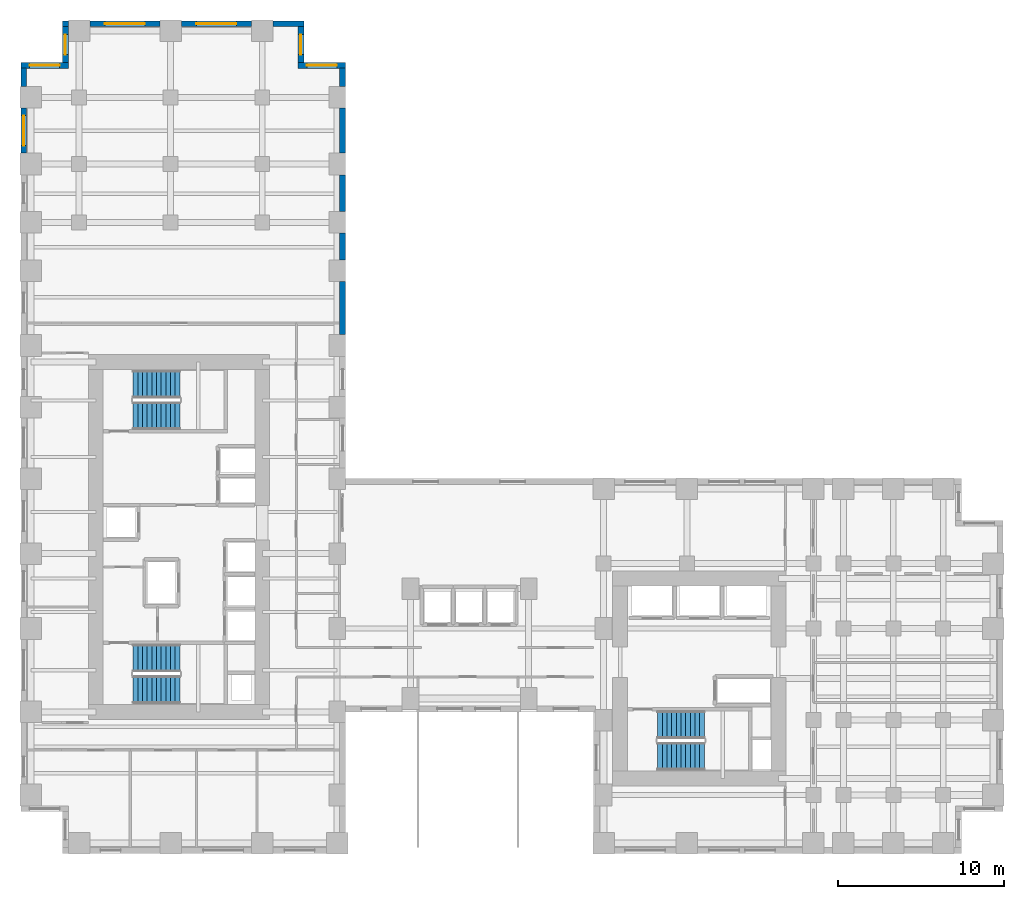
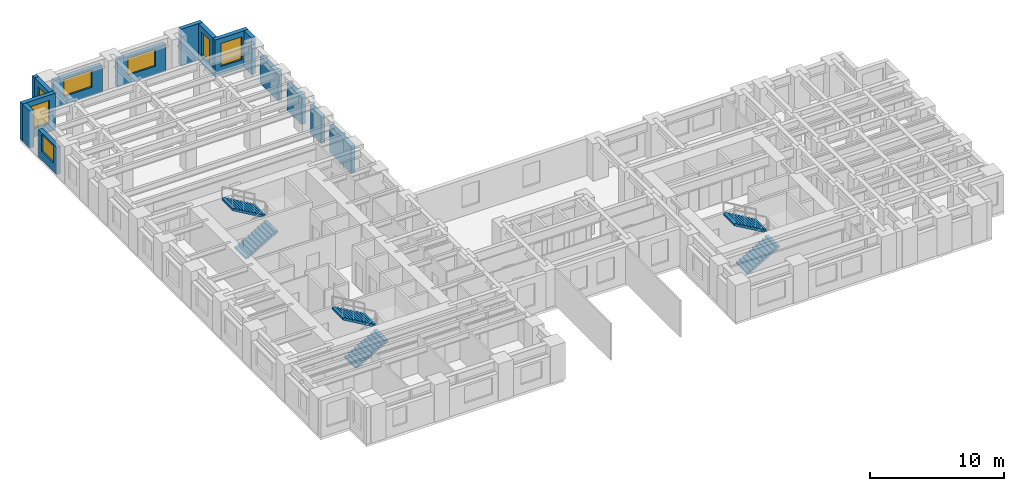
# One storey, part 10 of 12: 15 walls, 7 windows, 6 stair flights, 7 openings, 3 elements without a shape of their own.
"""IFC4 building model written with IfcOpenShell, lengths in metres."""

import ifcopenshell
import ifcopenshell.guid

model = None  # the IFC model being written
_history = None  # IfcOwnerHistory: only IFC2X3 demands one
_inside = {}  # id of a spatial element -> (the spatial element, [elements in it])
_under = {}  # id of a project, library or spatial element -> (it, [spatial elements below it])
_declared = {}  # id of a project -> (the project, [libraries it declares])
_typed = {}  # id of a type object -> (the type object, [elements of that type])
_made_of = {}  # id of a material, layer set ... -> (it, [elements and type objects made of it])


def new_model(schema):
    """Start an empty IFC model of exactly this schema.

    Asked for "IFC4X3", IfcOpenShell would pick the latest addendum, in which some entities
    have other attributes; the version numbers below select the first issue.
    IFC2X3 requires an IfcOwnerHistory on every rooted entity: one is made here for all.
    """
    global model, _history
    if schema == "IFC4X3":
        model = ifcopenshell.file(schema_version=(4, 3, 0, 0))
    else:
        model = ifcopenshell.file(schema=schema)
    _inside.clear()
    _under.clear()
    _declared.clear()
    _typed.clear()
    _made_of.clear()
    _history = None
    if model.schema == "IFC2X3":
        org = make("IfcOrganization", Name="unknown")
        user = make(
            "IfcPersonAndOrganization",
            ThePerson=make("IfcPerson", FamilyName="unknown"),
            TheOrganization=org,
        )
        app = make(
            "IfcApplication",
            ApplicationDeveloper=org,
            Version="unknown",
            ApplicationFullName="unknown",
            ApplicationIdentifier="unknown",
        )
        _history = make(
            "IfcOwnerHistory",
            OwningUser=user,
            OwningApplication=app,
            ChangeAction="ADDED",
            CreationDate=0,
        )
    return model


def make(cls, **values):
    """One entity of the class cls with the attributes given. An attribute that is None is left unset."""
    return model.create_entity(
        cls, **{name: value for name, value in values.items() if value is not None}
    )


def rooted(cls, **values):
    """An entity with a GlobalId (a new one), such as an element, a storey or a relation."""
    return make(cls, GlobalId=ifcopenshell.guid.new(), OwnerHistory=_history, **values)


def si_unit(unit_type, name, prefix=None):
    """IfcSIUnit, for example si_unit("LENGTHUNIT", "METRE", prefix="MILLI")."""
    return make("IfcSIUnit", UnitType=unit_type, Prefix=prefix, Name=name)


def assignment(units):
    """IfcUnitAssignment: the units of a project."""
    return None if units is None else make("IfcUnitAssignment", Units=units)


def point(xyz):
    """IfcCartesianPoint."""
    return None if xyz is None else make("IfcCartesianPoint", Coordinates=xyz)


def direction(xyz):
    """IfcDirection."""
    return None if xyz is None else make("IfcDirection", DirectionRatios=xyz)


def frame(location, z_axis=None, x_axis=None):
    """IfcAxis2Placement3D, a coordinate frame: its origin and axes. An axis left out is left unset."""
    return make(
        "IfcAxis2Placement3D",
        Location=point(location),
        Axis=direction(z_axis),
        RefDirection=direction(x_axis),
    )


def frame_2d(location, x_axis=None):
    """IfcAxis2Placement2D, a coordinate frame in the plane: its origin and x axis."""
    return make(
        "IfcAxis2Placement2D", Location=point(location), RefDirection=direction(x_axis)
    )


def origin():
    """The frame at (0, 0, 0) with its axes left unset."""
    return frame((0.0, 0.0, 0.0))


def place(relative_to, where):
    """IfcLocalPlacement: puts the frame where relative to a parent placement (None: the world)."""
    return make(
        "IfcLocalPlacement", PlacementRelTo=relative_to, RelativePlacement=where
    )


def context(
    kind, dimensions, precision=None, world=None, true_north=None, identifier=None
):
    """IfcGeometricRepresentationContext, for example the 3D "Model" context."""
    return make(
        "IfcGeometricRepresentationContext",
        ContextIdentifier=identifier,
        ContextType=kind,
        CoordinateSpaceDimension=dimensions,
        Precision=precision,
        WorldCoordinateSystem=world,
        TrueNorth=true_north,
    )


def subcontext(parent, identifier, kind, view, scale=None):
    """IfcGeometricRepresentationSubContext, for example "Body" below "Model"."""
    return make(
        "IfcGeometricRepresentationSubContext",
        ContextIdentifier=identifier,
        ContextType=kind,
        ParentContext=parent,
        TargetScale=scale,
        TargetView=view,
    )


def project(units=None, contexts=None):
    """IfcProject with its units and contexts."""
    return rooted(
        "IfcProject",
        Name="project",
        RepresentationContexts=contexts,
        UnitsInContext=assignment(units),
    )


def spatial(cls, under=None, at=None, **own):
    """A site, building, storey or space (cls), placed at a placement, below another one or the project."""
    s = rooted(cls, ObjectPlacement=at, **own)
    if under is not None:
        _under.setdefault(under.id(), (under, []))[1].append(s)
    return s


def polyline(points):
    """IfcPolyline through the points."""
    return make("IfcPolyline", Points=[point(p) for p in points])


def profile(cls, at=None, kind="AREA", **sizes):
    """A parametric profile (cls). Its sizes go by their IFC names, for example OverallWidth=200.0."""
    return make(cls, ProfileType=kind, Position=at, **sizes)


def rectangle(**sizes):
    """IfcRectangleProfileDef."""
    return profile("IfcRectangleProfileDef", **sizes)


def outline(outer, holes=None, kind="AREA"):
    """IfcArbitraryClosedProfileDef: a profile drawn as a closed curve; with holes, ...WithVoids."""
    if holes is None:
        return make("IfcArbitraryClosedProfileDef", ProfileType=kind, OuterCurve=outer)
    return make(
        "IfcArbitraryProfileDefWithVoids",
        ProfileType=kind,
        OuterCurve=outer,
        InnerCurves=holes,
    )


def extrude(swept, where, along, depth):
    """IfcExtrudedAreaSolid: the profile swept, set in the frame where, extruded along a direction by depth."""
    return make(
        "IfcExtrudedAreaSolid",
        SweptArea=swept,
        Position=where,
        ExtrudedDirection=direction(along),
        Depth=depth,
    )


def shape(context_of_items, identifier, shape_type, items):
    """IfcShapeRepresentation: the items that make up one representation, for example the "Body"."""
    return make(
        "IfcShapeRepresentation",
        ContextOfItems=context_of_items,
        RepresentationIdentifier=identifier,
        RepresentationType=shape_type,
        Items=items,
    )


def source(mapping_origin, context_of_items, identifier, shape_type, items):
    """IfcRepresentationMap: a shape defined once, which mapped items show again and again."""
    return make(
        "IfcRepresentationMap",
        MappingOrigin=mapping_origin,
        MappedRepresentation=shape(context_of_items, identifier, shape_type, items),
    )


def transform(
    local_origin,
    x_axis=None,
    y_axis=None,
    z_axis=None,
    scale=None,
    scale2=None,
    scale3=None,
    uniform=True,
):
    """IfcCartesianTransformationOperator3D, or its non-uniform kind. x_axis, y_axis, z_axis: its Axis1, 2, 3."""
    if uniform:
        return make(
            "IfcCartesianTransformationOperator3D",
            Axis1=direction(x_axis),
            Axis2=direction(y_axis),
            LocalOrigin=point(local_origin),
            Scale=scale,
            Axis3=direction(z_axis),
        )
    return make(
        "IfcCartesianTransformationOperator3DnonUniform",
        Axis1=direction(x_axis),
        Axis2=direction(y_axis),
        LocalOrigin=point(local_origin),
        Scale=scale,
        Axis3=direction(z_axis),
        Scale2=scale2,
        Scale3=scale3,
    )


def mapped(mapping_source, mapping_target):
    """IfcMappedItem: shows the shape of a source again, moved by a transform."""
    return make(
        "IfcMappedItem", MappingSource=mapping_source, MappingTarget=mapping_target
    )


def material(Name=None, Category=None):
    """IfcMaterial."""
    return make("IfcMaterial", Name=Name, Category=Category)


def layer(
    of_material, thickness, ventilated=None, Name=None, Category=None, Priority=None
):
    """IfcMaterialLayer: one layer of a wall or slab, of a material (None: an air gap)."""
    return make(
        "IfcMaterialLayer",
        Material=of_material,
        LayerThickness=thickness,
        IsVentilated=ventilated,
        Name=Name,
        Category=Category,
        Priority=Priority,
    )


def layer_set(layers, Name=None):
    """IfcMaterialLayerSet."""
    return make("IfcMaterialLayerSet", MaterialLayers=layers, LayerSetName=Name)


def made_of(thing, what):
    """Note that an element or type object is made of a material, layer set ...; save() writes the relation."""
    if what is not None:
        _made_of.setdefault(what.id(), (what, []))[1].append(thing)
    return thing


def type_object(cls, material=None, **own):
    """A type object (cls), such as IfcWallType, which elements share."""
    return made_of(rooted(cls, **own), material)


def element(
    cls,
    number,
    at=None,
    inside=None,
    cuts=None,
    type_object=None,
    material=None,
    context=None,
    identifier="Body",
    shape_type=None,
    held_by="IfcProductDefinitionShape",
    body=None,
    shapes=None,
    **own,
):
    """One element of the class cls, such as IfcWall. Its Tag is "e" and its number.

    at: its placement. inside: the storey or other place that contains it. cuts: it is an
    opening in that element (IfcRelVoidsElement). A single representation is given by context,
    identifier, shape_type and body (its items); several are given by shapes. held_by: the class
    of the entity that holds the representations. save() writes the other relations.
    """
    e = rooted(cls, Tag="e%d" % number, ObjectPlacement=at, **own)
    if body is not None:
        shapes = [shape(context, identifier, shape_type, body)]
    if shapes is not None:
        e.Representation = make(held_by, Representations=shapes)
    if inside is not None:
        _inside.setdefault(inside.id(), (inside, []))[1].append(e)
    if cuts is not None:
        rooted(
            "IfcRelVoidsElement", RelatingBuildingElement=cuts, RelatedOpeningElement=e
        )
    if type_object is not None:
        _typed.setdefault(type_object.id(), (type_object, []))[1].append(e)
    return made_of(e, material)


def fill(opening, filler):
    """IfcRelFillsElement: the door or window that sits in an opening."""
    return rooted(
        "IfcRelFillsElement",
        RelatingOpeningElement=opening,
        RelatedBuildingElement=filler,
    )


def aggregate(whole, parts):
    """IfcRelAggregates: a whole, such as a stair, and the parts it consists of."""
    return rooted("IfcRelAggregates", RelatingObject=whole, RelatedObjects=parts)


def save(model, path):
    """Write the relations noted so far, then the file.

    IfcRelAggregates (storeys below a building ...), IfcRelContainedInSpatialStructure (elements
    in a storey), IfcRelDefinesByType, IfcRelAssociatesMaterial and IfcRelDeclares: one each for
    every whole, place, type object, material and project.
    """
    for whole, parts in _under.values():
        aggregate(whole, parts)
    for where, things in _inside.values():
        rooted(
            "IfcRelContainedInSpatialStructure",
            RelatedElements=things,
            RelatingStructure=where,
        )
    for kind, things in _typed.values():
        rooted("IfcRelDefinesByType", RelatedObjects=things, RelatingType=kind)
    for what, things in _made_of.values():
        rooted("IfcRelAssociatesMaterial", RelatedObjects=things, RelatingMaterial=what)
    for by, libraries in _declared.values():
        rooted("IfcRelDeclares", RelatingContext=by, RelatedDefinitions=libraries)
    model.write(path)


model = new_model("IFC4")

# Units and contexts
model_context = context("Model", 3, precision=1e-05, world=origin(), true_north=direction((0.0, 1.0)))
body_context = subcontext(model_context, "Body", "Model", "MODEL_VIEW")
ifc_project = project(units=[si_unit("LENGTHUNIT", "METRE"), si_unit("AREAUNIT", "SQUARE_METRE"), si_unit("VOLUMEUNIT", "CUBIC_METRE"), si_unit("PLANEANGLEUNIT", "RADIAN"), si_unit("MASSUNIT", "GRAM", prefix="KILO")], contexts=[model_context])

# Site, building, storey
site_placement = place(None, origin())
site = spatial("IfcSite", under=ifc_project, at=site_placement, CompositionType="ELEMENT")
building_placement = place(site_placement, origin())
building = spatial("IfcBuilding", under=site, at=building_placement, Name="Kharzan Plaza Tower", CompositionType="ELEMENT")
storey_placement = place(building_placement, frame((0.0, 0.0, 51.300048828125)))
storey = spatial("IfcBuildingStorey", under=building, at=storey_placement, Name="L13", CompositionType="ELEMENT", Elevation=51.300048828125)

# Wall, opening, window
ifc_material_1 = material(Name="Concrete C40/50", Category="concrete")
ifc_layer = layer(ifc_material_1, 0.35009765625)
ifc_layer_set = layer_set([ifc_layer], Name="Concrete C40/50")
wall_type = type_object("IfcWallType", Name="WL-EXT-MAS-Z1", PredefinedType="SOLIDWALL", material=ifc_layer_set)
wall_1_placement = place(storey_placement, frame((19.5, 47.324951171875, 0.0), z_axis=(0.0, 0.0, 1.0), x_axis=(-1.0, 0.0, 0.0)))
wall_1 = element("IfcWall", 1, at=wall_1_placement, inside=storey, type_object=wall_type, Name="L13 Masonry-Frame Exterior Wall 01", PredefinedType="SOLIDWALL", context=body_context, shape_type="SweptSolid", body=[
    extrude(rectangle(XDim=2.85009765625, YDim=0.35009765625, at=frame_2d((1.425048828125, 0.0))), origin(), (0.0, 0.0, 1.0), 3.364990234375),
])
opening_1_placement = place(wall_1_placement, frame((0.52490234375, 0.0, 0.780029296875)))
opening_1 = element("IfcOpeningElement", 2, at=opening_1_placement, cuts=wall_1, Name="Opening W1", PredefinedType="OPENING", context=body_context, shape_type="SweptSolid", body=[
    extrude(rectangle(XDim=1.800048828125, YDim=2.10009765625, at=frame_2d((0.89990234375, 1.050048828125))), frame((0.0, 0.18505859375, 0.0), z_axis=(0.0, -1.0, 0.0), x_axis=(1.0, 0.0, 0.0)), (0.0, 0.0, 1.0), 0.3701171875),
])
ifc_material_2 = material(Name="Low-E Double Glazing", Category="glass")
window_type_1 = type_object("IfcWindowType", Name="WN-REC-1800x2100", PartitioningType="SINGLE_PANEL", PredefinedType="WINDOW", material=ifc_material_2)
shared_shape_1 = source(origin(), body_context, "Body", "SweptSolid", [
    extrude(rectangle(XDim=1.800048828125, YDim=2.10009765625, at=frame_2d((0.89990234375, 1.050048828125))), frame((0.0, 0.030029296875, 0.0), z_axis=(0.0, -1.0, 0.0), x_axis=(1.0, 0.0, 0.0)), (0.0, 0.0, 1.0), 0.06005859375),
])
window_1_placement = place(opening_1_placement, origin())
window_1 = element("IfcWindow", 3, at=window_1_placement, inside=storey, type_object=window_type_1, Name="L13 Recessed Solar-Control Window 01-1", OverallHeight=2.10009765625, OverallWidth=1.800048828125, PartitioningType="SINGLE_PANEL", PredefinedType="WINDOW", context=body_context, shape_type="MappedRepresentation", body=[
    mapped(shared_shape_1, transform((0.0, 0.0, 0.0), x_axis=(1.0, 0.0, 0.0), y_axis=(0.0, 1.0, 0.0), z_axis=(0.0, 0.0, 1.0))),
])
fill(opening_1, window_1)

wall_2_placement = place(storey_placement, frame((16.824951171875, 47.498046875, 0.0), z_axis=(0.0, 0.0, 1.0), x_axis=(0.0, 1.0, 0.0)))
wall_2 = element("IfcWall", 4, at=wall_2_placement, inside=storey, type_object=wall_type, Name="L13 Masonry-Frame Exterior Wall 02", PredefinedType="SOLIDWALL", context=body_context, shape_type="SweptSolid", body=[
    extrude(rectangle(XDim=2.154052734375, YDim=0.35009765625, at=frame_2d((1.0771484375, 0.0))), origin(), (0.0, 0.0, 1.0), 3.364990234375),
])
opening_2_placement = place(wall_2_placement, frame((0.47705078125, 0.0, 0.780029296875)))
opening_2 = element("IfcOpeningElement", 5, at=opening_2_placement, cuts=wall_2, Name="Opening W3", PredefinedType="OPENING", context=body_context, shape_type="SweptSolid", body=[
    extrude(rectangle(XDim=1.199951171875, YDim=2.10009765625, at=frame_2d((0.60009765625, 1.050048828125))), frame((0.0, 0.18505859375, 0.0), z_axis=(0.0, -1.0, 0.0), x_axis=(1.0, 0.0, 0.0)), (0.0, 0.0, 1.0), 0.3701171875),
])
window_type_2 = type_object("IfcWindowType", Name="WN-REC-1200x2100", PartitioningType="SINGLE_PANEL", PredefinedType="WINDOW", material=ifc_material_2)
shared_shape_2 = source(origin(), body_context, "Body", "SweptSolid", [
    extrude(rectangle(XDim=1.199951171875, YDim=2.10009765625, at=frame_2d((0.60009765625, 1.050048828125))), frame((0.0, 0.030029296875, 0.0), z_axis=(0.0, -1.0, 0.0), x_axis=(1.0, 0.0, 0.0)), (0.0, 0.0, 1.0), 0.06005859375),
])
window_2_placement = place(opening_2_placement, origin())
window_2 = element("IfcWindow", 6, at=window_2_placement, inside=storey, type_object=window_type_2, Name="L13 Recessed Solar-Control Window 02-1", OverallHeight=2.10009765625, OverallWidth=1.199951171875, PartitioningType="SINGLE_PANEL", PredefinedType="WINDOW", context=body_context, shape_type="MappedRepresentation", body=[
    mapped(shared_shape_2, transform((0.0, 0.0, 0.0), x_axis=(1.0, 0.0, 0.0), y_axis=(0.0, 1.0, 0.0), z_axis=(0.0, 0.0, 1.0))),
])
fill(opening_2, window_2)

wall_3_placement = place(storey_placement, frame((13.85205078125, 49.824951171875, 0.0), z_axis=(0.0, 0.0, 1.0), x_axis=(-1.0, 0.0, 0.0)))
wall_3 = element("IfcWall", 7, at=wall_3_placement, inside=storey, type_object=wall_type, Name="L13 Masonry-Frame Exterior Wall 04", PredefinedType="SOLIDWALL", context=body_context, shape_type="SweptSolid", body=[
    extrude(rectangle(XDim=4.2041015625, YDim=0.35009765625, at=frame_2d((2.10205078125, 0.0))), origin(), (0.0, 0.0, 1.0), 2.510009765625),
])
opening_3_placement = place(wall_3_placement, frame((0.902099609375, 0.0, 0.780029296875)))
opening_3 = element("IfcOpeningElement", 8, at=opening_3_placement, cuts=wall_3, Name="Opening W2", PredefinedType="OPENING", context=body_context, shape_type="SweptSolid", body=[
    extrude(rectangle(XDim=2.39990234375, YDim=1.550048828125, at=frame_2d((1.199951171875, 0.77490234375))), frame((0.0, 0.18505859375, 0.0), z_axis=(0.0, -1.0, 0.0), x_axis=(1.0, 0.0, 0.0)), (0.0, 0.0, 1.0), 0.3701171875),
])
window_type_3 = type_object("IfcWindowType", Name="WN-REC-2400x2100", PartitioningType="SINGLE_PANEL", PredefinedType="WINDOW", material=ifc_material_2)
shared_shape_3 = source(origin(), body_context, "Body", "SweptSolid", [
    extrude(rectangle(XDim=2.39990234375, YDim=1.550048828125, at=frame_2d((1.199951171875, 0.77490234375))), frame((0.0, 0.030029296875, 0.0), z_axis=(0.0, -1.0, 0.0), x_axis=(1.0, 0.0, 0.0)), (0.0, 0.0, 1.0), 0.06005859375),
])
window_3_placement = place(opening_3_placement, origin())
window_3 = element("IfcWindow", 9, at=window_3_placement, inside=storey, type_object=window_type_3, Name="L13 Wide Recessed Solar-Control Window 04-1", OverallHeight=1.550048828125, OverallWidth=2.39990234375, PartitioningType="SINGLE_PANEL", PredefinedType="WINDOW", context=body_context, shape_type="MappedRepresentation", body=[
    mapped(shared_shape_3, transform((0.0, 0.0, 0.0), x_axis=(1.0, 0.0, 0.0), y_axis=(0.0, 1.0, 0.0), z_axis=(0.0, 0.0, 1.0))),
])
fill(opening_3, window_3)

wall_4_placement = place(storey_placement, frame((8.35205078125, 49.824951171875, 0.0), z_axis=(0.0, 0.0, 1.0), x_axis=(-1.0, 0.0, 0.0)))
wall_4 = element("IfcWall", 10, at=wall_4_placement, inside=storey, type_object=wall_type, Name="L13 Masonry-Frame Exterior Wall 05", PredefinedType="SOLIDWALL", context=body_context, shape_type="SweptSolid", body=[
    extrude(rectangle(XDim=4.2041015625, YDim=0.35009765625, at=frame_2d((2.10205078125, 0.0))), origin(), (0.0, 0.0, 1.0), 2.510009765625),
])
opening_4_placement = place(wall_4_placement, frame((0.902099609375, 0.0, 0.780029296875)))
opening_4 = element("IfcOpeningElement", 11, at=opening_4_placement, cuts=wall_4, Name="Opening W2", PredefinedType="OPENING", context=body_context, shape_type="SweptSolid", body=[
    extrude(rectangle(XDim=2.39990234375, YDim=1.550048828125, at=frame_2d((1.199951171875, 0.77490234375))), frame((0.0, 0.18505859375, 0.0), z_axis=(0.0, -1.0, 0.0), x_axis=(1.0, 0.0, 0.0)), (0.0, 0.0, 1.0), 0.3701171875),
])
window_4_placement = place(opening_4_placement, origin())
window_4 = element("IfcWindow", 12, at=window_4_placement, inside=storey, type_object=window_type_3, Name="L13 Wide Recessed Solar-Control Window 05-1", OverallHeight=1.550048828125, OverallWidth=2.39990234375, PartitioningType="SINGLE_PANEL", PredefinedType="WINDOW", context=body_context, shape_type="MappedRepresentation", body=[
    mapped(shared_shape_3, transform((0.0, 0.0, 0.0), x_axis=(1.0, 0.0, 0.0), y_axis=(0.0, 1.0, 0.0), z_axis=(0.0, 0.0, 1.0))),
])
fill(opening_4, window_4)

wall_5_placement = place(storey_placement, frame((2.675048828125, 49.652099609375, 0.0), z_axis=(0.0, 0.0, 1.0), x_axis=(0.0, -1.0, 0.0)))
wall_5 = element("IfcWall", 13, at=wall_5_placement, inside=storey, type_object=wall_type, Name="L13 Masonry-Frame Exterior Wall 07", PredefinedType="SOLIDWALL", context=body_context, shape_type="SweptSolid", body=[
    extrude(rectangle(XDim=2.154052734375, YDim=0.35009765625, at=frame_2d((1.0771484375, 0.0))), origin(), (0.0, 0.0, 1.0), 3.364990234375),
])
opening_5_placement = place(wall_5_placement, frame((0.47705078125, 0.0, 0.780029296875)))
opening_5 = element("IfcOpeningElement", 14, at=opening_5_placement, cuts=wall_5, Name="Opening W3", PredefinedType="OPENING", context=body_context, shape_type="SweptSolid", body=[
    extrude(rectangle(XDim=1.199951171875, YDim=2.10009765625, at=frame_2d((0.60009765625, 1.050048828125))), frame((0.0, 0.18505859375, 0.0), z_axis=(0.0, -1.0, 0.0), x_axis=(1.0, 0.0, 0.0)), (0.0, 0.0, 1.0), 0.3701171875),
])
window_5_placement = place(opening_5_placement, origin())
window_5 = element("IfcWindow", 15, at=window_5_placement, inside=storey, type_object=window_type_2, Name="L13 Recessed Solar-Control Window 07-1", OverallHeight=2.10009765625, OverallWidth=1.199951171875, PartitioningType="SINGLE_PANEL", PredefinedType="WINDOW", context=body_context, shape_type="MappedRepresentation", body=[
    mapped(shared_shape_2, transform((0.0, 0.0, 0.0), x_axis=(1.0, 0.0, 0.0), y_axis=(0.0, 1.0, 0.0), z_axis=(0.0, 0.0, 1.0))),
])
fill(opening_5, window_5)

wall_6_placement = place(storey_placement, frame((2.85009765625, 47.324951171875, 0.0), z_axis=(0.0, 0.0, 1.0), x_axis=(-1.0, 0.0, 0.0)))
wall_6 = element("IfcWall", 16, at=wall_6_placement, inside=storey, type_object=wall_type, Name="L13 Masonry-Frame Exterior Wall 08", PredefinedType="SOLIDWALL", context=body_context, shape_type="SweptSolid", body=[
    extrude(rectangle(XDim=2.85009765625, YDim=0.35009765625, at=frame_2d((1.425048828125, 0.0))), origin(), (0.0, 0.0, 1.0), 3.364990234375),
])
opening_6_placement = place(wall_6_placement, frame((0.52490234375, 0.0, 0.780029296875)))
opening_6 = element("IfcOpeningElement", 17, at=opening_6_placement, cuts=wall_6, Name="Opening W1", PredefinedType="OPENING", context=body_context, shape_type="SweptSolid", body=[
    extrude(rectangle(XDim=1.800048828125, YDim=2.10009765625, at=frame_2d((0.89990234375, 1.050048828125))), frame((0.0, 0.18505859375, 0.0), z_axis=(0.0, -1.0, 0.0), x_axis=(1.0, 0.0, 0.0)), (0.0, 0.0, 1.0), 0.3701171875),
])
window_6_placement = place(opening_6_placement, origin())
window_6 = element("IfcWindow", 18, at=window_6_placement, inside=storey, type_object=window_type_1, Name="L13 Recessed Solar-Control Window 08-1", OverallHeight=2.10009765625, OverallWidth=1.800048828125, PartitioningType="SINGLE_PANEL", PredefinedType="WINDOW", context=body_context, shape_type="MappedRepresentation", body=[
    mapped(shared_shape_1, transform((0.0, 0.0, 0.0), x_axis=(1.0, 0.0, 0.0), y_axis=(0.0, 1.0, 0.0), z_axis=(0.0, 0.0, 1.0))),
])
fill(opening_6, window_6)

wall_7_placement = place(storey_placement, frame((0.175048828125, 44.751953125, 0.0), z_axis=(0.0, 0.0, 1.0), x_axis=(0.0, -1.0, 0.0)))
wall_7 = element("IfcWall", 19, at=wall_7_placement, inside=storey, type_object=wall_type, Name="L13 Masonry-Frame Exterior Wall 10", PredefinedType="SOLIDWALL", context=body_context, shape_type="SweptSolid", body=[
    extrude(rectangle(XDim=2.703857421875, YDim=0.35009765625, at=frame_2d((1.35205078125, 0.0))), origin(), (0.0, 0.0, 1.0), 2.510009765625),
])
opening_7_placement = place(wall_7_placement, frame((0.451904296875, 0.0, 0.780029296875)))
opening_7 = element("IfcOpeningElement", 20, at=opening_7_placement, cuts=wall_7, Name="Opening W1", PredefinedType="OPENING", context=body_context, shape_type="SweptSolid", body=[
    extrude(rectangle(XDim=1.800048828125, YDim=1.550048828125, at=frame_2d((0.89990234375, 0.77490234375))), frame((0.0, 0.18505859375, 0.0), z_axis=(0.0, -1.0, 0.0), x_axis=(1.0, 0.0, 0.0)), (0.0, 0.0, 1.0), 0.3701171875),
])
shared_shape_4 = source(origin(), body_context, "Body", "SweptSolid", [
    extrude(rectangle(XDim=1.800048828125, YDim=1.550048828125, at=frame_2d((0.89990234375, 0.77490234375))), frame((0.0, 0.030029296875, 0.0), z_axis=(0.0, -1.0, 0.0), x_axis=(1.0, 0.0, 0.0)), (0.0, 0.0, 1.0), 0.06005859375),
])
window_7_placement = place(opening_7_placement, origin())
window_7 = element("IfcWindow", 21, at=window_7_placement, inside=storey, type_object=window_type_1, Name="L13 Recessed Solar-Control Window 10-1", OverallHeight=1.550048828125, OverallWidth=1.800048828125, PartitioningType="SINGLE_PANEL", PredefinedType="WINDOW", context=body_context, shape_type="MappedRepresentation", body=[
    mapped(shared_shape_4, transform((0.0, 0.0, 0.0), x_axis=(1.0, 0.0, 0.0), y_axis=(0.0, 1.0, 0.0), z_axis=(0.0, 0.0, 1.0))),
])
fill(opening_7, window_7)

# Walls
shared_shape_5 = source(origin(), body_context, "Body", "SweptSolid", [
    extrude(rectangle(XDim=1.85205078125, YDim=0.35009765625, at=frame_2d((0.926025390625, 0.0))), origin(), (0.0, 0.0, 1.0), 3.364990234375),
])
wall_8_placement = place(storey_placement, frame((17.0, 49.824951171875, 0.0), z_axis=(0.0, 0.0, 1.0), x_axis=(-1.0, 0.0, 0.0)))
element("IfcWall", 22, at=wall_8_placement, inside=storey, type_object=wall_type, Name="L13 Masonry-Frame Exterior Wall 03", PredefinedType="SOLIDWALL", context=body_context, shape_type="MappedRepresentation", body=[
    mapped(shared_shape_5, transform((0.0, 0.0, 0.0), x_axis=(1.0, 0.0, 0.0), y_axis=(0.0, 1.0, 0.0), z_axis=(0.0, 0.0, 1.0))),
])
shared_shape_6 = source(origin(), body_context, "Body", "SweptSolid", [
    extrude(rectangle(XDim=0.35205078125, YDim=0.35009765625, at=frame_2d((0.176025390625, 0.0))), origin(), (0.0, 0.0, 1.0), 3.364990234375),
])
wall_9_placement = place(storey_placement, frame((2.85205078125, 49.824951171875, 0.0), z_axis=(0.0, 0.0, 1.0), x_axis=(-1.0, 0.0, 0.0)))
element("IfcWall", 23, at=wall_9_placement, inside=storey, type_object=wall_type, Name="L13 Masonry-Frame Exterior Wall 06", PredefinedType="SOLIDWALL", context=body_context, shape_type="MappedRepresentation", body=[
    mapped(shared_shape_6, transform((0.0, 0.0, 0.0), x_axis=(1.0, 0.0, 0.0), y_axis=(0.0, 1.0, 0.0), z_axis=(0.0, 0.0, 1.0))),
])
shared_shape_7 = source(origin(), body_context, "Body", "SweptSolid", [
    extrude(rectangle(XDim=1.10400390625, YDim=0.35009765625, at=frame_2d((0.552001953125, 0.0))), origin(), (0.0, 0.0, 1.0), 3.364990234375),
])
for number, where, z_axis, x_axis, name in (
    (24, (0.175048828125, 47.152099609375, 0.0), (0.0, 0.0, 1.0), (0.0, -1.0, 0.0), "L13 Masonry-Frame Exterior Wall 09"),
    (25, (19.324951171875, 46.048095703125, 0.0), (0.0, 0.0, 1.0), (0.0, 1.0, 0.0), "L13 Masonry-Frame Exterior Wall 60"),
):
    element("IfcWall", number, at=place(storey_placement, frame(where, z_axis=z_axis, x_axis=x_axis)), inside=storey, type_object=wall_type, Name=name, PredefinedType="SOLIDWALL", context=body_context, shape_type="MappedRepresentation", body=[
        mapped(shared_shape_7, transform((0.0, 0.0, 0.0), x_axis=(1.0, 0.0, 0.0), y_axis=(0.0, 1.0, 0.0), z_axis=(0.0, 0.0, 1.0))),
    ])
shared_shape_8 = source(origin(), body_context, "Body", "SweptSolid", [
    extrude(rectangle(XDim=1.60400390625, YDim=0.35009765625, at=frame_2d((0.802001953125, 0.0))), origin(), (0.0, 0.0, 1.0), 2.510009765625),
])
wall_10_placement = place(storey_placement, frame((19.324951171875, 35.64794921875, 0.0), z_axis=(0.0, 0.0, 1.0), x_axis=(0.0, 1.0, 0.0)))
element("IfcWall", 26, at=wall_10_placement, inside=storey, type_object=wall_type, Name="L13 Masonry-Frame Exterior Wall 57", PredefinedType="SOLIDWALL", context=body_context, shape_type="MappedRepresentation", body=[
    mapped(shared_shape_8, transform((0.0, 0.0, 0.0), x_axis=(1.0, 0.0, 0.0), y_axis=(0.0, 1.0, 0.0), z_axis=(0.0, 0.0, 1.0))),
])
shared_shape_9 = source(origin(), body_context, "Body", "SweptSolid", [
    extrude(rectangle(XDim=3.2041015625, YDim=0.35009765625, at=frame_2d((1.60205078125, 0.0))), origin(), (0.0, 0.0, 1.0), 2.510009765625),
])
wall_11_placement = place(storey_placement, frame((19.324951171875, 31.14794921875, 0.0), z_axis=(0.0, 0.0, 1.0), x_axis=(0.0, 1.0, 0.0)))
element("IfcWall", 27, at=wall_11_placement, inside=storey, type_object=wall_type, Name="L13 Masonry-Frame Exterior Wall 56", PredefinedType="SOLIDWALL", context=body_context, shape_type="MappedRepresentation", body=[
    mapped(shared_shape_9, transform((0.0, 0.0, 0.0), x_axis=(1.0, 0.0, 0.0), y_axis=(0.0, 1.0, 0.0), z_axis=(0.0, 0.0, 1.0))),
])
shared_shape_10 = source(origin(), body_context, "Body", "SweptSolid", [
    extrude(rectangle(XDim=2.203857421875, YDim=0.35009765625, at=frame_2d((1.10205078125, 0.0))), origin(), (0.0, 0.0, 1.0), 2.510009765625),
])
wall_12_placement = place(storey_placement, frame((19.324951171875, 38.548095703125, 0.0), z_axis=(0.0, 0.0, 1.0), x_axis=(0.0, 1.0, 0.0)))
element("IfcWall", 28, at=wall_12_placement, inside=storey, type_object=wall_type, Name="L13 Masonry-Frame Exterior Wall 58", PredefinedType="SOLIDWALL", context=body_context, shape_type="MappedRepresentation", body=[
    mapped(shared_shape_10, transform((0.0, 0.0, 0.0), x_axis=(1.0, 0.0, 0.0), y_axis=(0.0, 1.0, 0.0), z_axis=(0.0, 0.0, 1.0))),
])
shared_shape_11 = source(origin(), body_context, "Body", "SweptSolid", [
    extrude(rectangle(XDim=2.703857421875, YDim=0.35009765625, at=frame_2d((1.35205078125, 0.0))), origin(), (0.0, 0.0, 1.0), 2.510009765625),
])
wall_13_placement = place(storey_placement, frame((19.324951171875, 42.048095703125, 0.0), z_axis=(0.0, 0.0, 1.0), x_axis=(0.0, 1.0, 0.0)))
element("IfcWall", 29, at=wall_13_placement, inside=storey, type_object=wall_type, Name="L13 Masonry-Frame Exterior Wall 59", PredefinedType="SOLIDWALL", context=body_context, shape_type="MappedRepresentation", body=[
    mapped(shared_shape_11, transform((0.0, 0.0, 0.0), x_axis=(1.0, 0.0, 0.0), y_axis=(0.0, 1.0, 0.0), z_axis=(0.0, 0.0, 1.0))),
])

# Stair, stair flights
stair_type_1 = type_object("IfcStairType", Name="STR-ST-1", PredefinedType="HALF_TURN_STAIR", material=ifc_material_1)
stair_1_placement = place(storey_placement, origin())
stair_1 = element("IfcStair", 30, at=stair_1_placement, inside=storey, type_object=stair_type_1, Name="L13 Protected Exit Stair ST-1", PredefinedType="HALF_TURN_STAIR")
stair_flight_type = type_object("IfcStairFlightType", Name="SFL-1650-R173", PredefinedType="STRAIGHT", material=ifc_material_1)
shared_shape_12 = source(origin(), body_context, "Body", "SweptSolid", [
    extrude(outline(polyline([(-0.0029296875, -0.011962890625), (-0.0029296875, 0.0), (0.0, 0.0), (0.0, 0.16357421875), (0.280029296875, 0.16357421875), (0.280029296875, 0.3271484375), (0.56005859375, 0.3271484375), (0.56005859375, 0.49072265625), (0.840087890625, 0.49072265625), (0.840087890625, 0.654296875), (1.1201171875, 0.654296875), (1.1201171875, 0.81787109375), (1.400146484375, 0.81787109375), (1.400146484375, 0.9814453125), (1.68017578125, 0.9814453125), (1.68017578125, 1.14501953125), (1.960205078125, 1.14501953125), (1.960205078125, 1.30859375), (2.240234375, 1.30859375), (2.240234375, 1.47216796875), (2.520263671875, 1.47216796875), (2.520263671875, 1.6357421875), (2.80029296875, 1.6357421875), (2.80029296875, 1.79931640625), (2.80029296875, 1.462158203125), (0.297119140625, 0.0), (0.297119140625, -0.011962890625), (-0.0029296875, -0.011962890625)])), frame((0.0, 0.824951171875, 0.0), z_axis=(0.0, -1.0, 0.0), x_axis=(1.0, 0.0, 0.0)), (0.0, 0.0, 1.0), 1.64990234375),
])
stair_flight_1_placement = place(storey_placement, frame((6.75, 9.824951171875, 0.0), z_axis=(0.0, 0.0, 1.0), x_axis=(1.0, 0.0, 0.0)))
stair_flight_1 = element("IfcStairFlight", 31, at=stair_flight_1_placement, type_object=stair_flight_type, Name="ST-1 flight 1", NumberOfRisers=11, NumberOfTreads=10, PredefinedType="STRAIGHT", RiserHeight=0.163636364, TreadLength=0.28, context=body_context, shape_type="MappedRepresentation", body=[
    mapped(shared_shape_12, transform((0.0, 0.0, 0.0), x_axis=(1.0, 0.0, 0.0), y_axis=(0.0, 1.0, 0.0), z_axis=(0.0, 0.0, 1.0))),
])
stair_flight_2_placement = place(storey_placement, frame((9.550048828125, 11.72509765625, 1.800048828125), z_axis=(0.0, 0.0, 1.0), x_axis=(-1.0, 0.0, 0.0)))
stair_flight_2 = element("IfcStairFlight", 32, at=stair_flight_2_placement, type_object=stair_flight_type, Name="ST-1 flight 2", NumberOfRisers=11, NumberOfTreads=10, PredefinedType="STRAIGHT", RiserHeight=0.163636364, TreadLength=0.28, context=body_context, shape_type="MappedRepresentation", body=[
    mapped(shared_shape_12, transform((0.0, 0.0, 0.0), x_axis=(1.0, 0.0, 0.0), y_axis=(0.0, 1.0, 0.0), z_axis=(0.0, 0.0, 1.0))),
])
aggregate(stair_1, [stair_flight_1, stair_flight_2])

stair_type_2 = type_object("IfcStairType", Name="STR-ST-2", PredefinedType="HALF_TURN_STAIR", material=ifc_material_1)
stair_2_placement = place(storey_placement, origin())
stair_2 = element("IfcStair", 33, at=stair_2_placement, inside=storey, type_object=stair_type_2, Name="L13 Protected Exit Stair ST-2", PredefinedType="HALF_TURN_STAIR")
stair_flight_3_placement = place(storey_placement, frame((6.75, 26.27490234375, 0.0), z_axis=(0.0, 0.0, 1.0), x_axis=(1.0, 0.0, 0.0)))
stair_flight_3 = element("IfcStairFlight", 34, at=stair_flight_3_placement, type_object=stair_flight_type, Name="ST-2 flight 1", NumberOfRisers=11, NumberOfTreads=10, PredefinedType="STRAIGHT", RiserHeight=0.163636364, TreadLength=0.28, context=body_context, shape_type="MappedRepresentation", body=[
    mapped(shared_shape_12, transform((0.0, 0.0, 0.0), x_axis=(1.0, 0.0, 0.0), y_axis=(0.0, 1.0, 0.0), z_axis=(0.0, 0.0, 1.0))),
])
stair_flight_4_placement = place(storey_placement, frame((9.550048828125, 28.175048828125, 1.800048828125), z_axis=(0.0, 0.0, 1.0), x_axis=(-1.0, 0.0, 0.0)))
stair_flight_4 = element("IfcStairFlight", 35, at=stair_flight_4_placement, type_object=stair_flight_type, Name="ST-2 flight 2", NumberOfRisers=11, NumberOfTreads=10, PredefinedType="STRAIGHT", RiserHeight=0.163636364, TreadLength=0.28, context=body_context, shape_type="MappedRepresentation", body=[
    mapped(shared_shape_12, transform((0.0, 0.0, 0.0), x_axis=(1.0, 0.0, 0.0), y_axis=(0.0, 1.0, 0.0), z_axis=(0.0, 0.0, 1.0))),
])
aggregate(stair_2, [stair_flight_3, stair_flight_4])

stair_type_3 = type_object("IfcStairType", Name="STR-ST-3", PredefinedType="HALF_TURN_STAIR", material=ifc_material_1)
stair_3_placement = place(storey_placement, origin())
stair_3 = element("IfcStair", 36, at=stair_3_placement, inside=storey, type_object=stair_type_3, Name="L13 Protected Exit Stair ST-3", PredefinedType="HALF_TURN_STAIR")
stair_flight_5_placement = place(storey_placement, frame((38.25, 5.824951171875, 0.0), z_axis=(0.0, 0.0, 1.0), x_axis=(1.0, 0.0, 0.0)))
stair_flight_5 = element("IfcStairFlight", 37, at=stair_flight_5_placement, type_object=stair_flight_type, Name="ST-3 flight 1", NumberOfRisers=11, NumberOfTreads=10, PredefinedType="STRAIGHT", RiserHeight=0.163636364, TreadLength=0.28, context=body_context, shape_type="MappedRepresentation", body=[
    mapped(shared_shape_12, transform((0.0, 0.0, 0.0), x_axis=(1.0, 0.0, 0.0), y_axis=(0.0, 1.0, 0.0), z_axis=(0.0, 0.0, 1.0))),
])
stair_flight_6_placement = place(storey_placement, frame((41.050048828125, 7.72509765625, 1.800048828125), z_axis=(0.0, 0.0, 1.0), x_axis=(-1.0, 0.0, 0.0)))
stair_flight_6 = element("IfcStairFlight", 38, at=stair_flight_6_placement, type_object=stair_flight_type, Name="ST-3 flight 2", NumberOfRisers=11, NumberOfTreads=10, PredefinedType="STRAIGHT", RiserHeight=0.163636364, TreadLength=0.28, context=body_context, shape_type="MappedRepresentation", body=[
    mapped(shared_shape_12, transform((0.0, 0.0, 0.0), x_axis=(1.0, 0.0, 0.0), y_axis=(0.0, 1.0, 0.0), z_axis=(0.0, 0.0, 1.0))),
])
aggregate(stair_3, [stair_flight_5, stair_flight_6])

save(model, "model.ifc")
